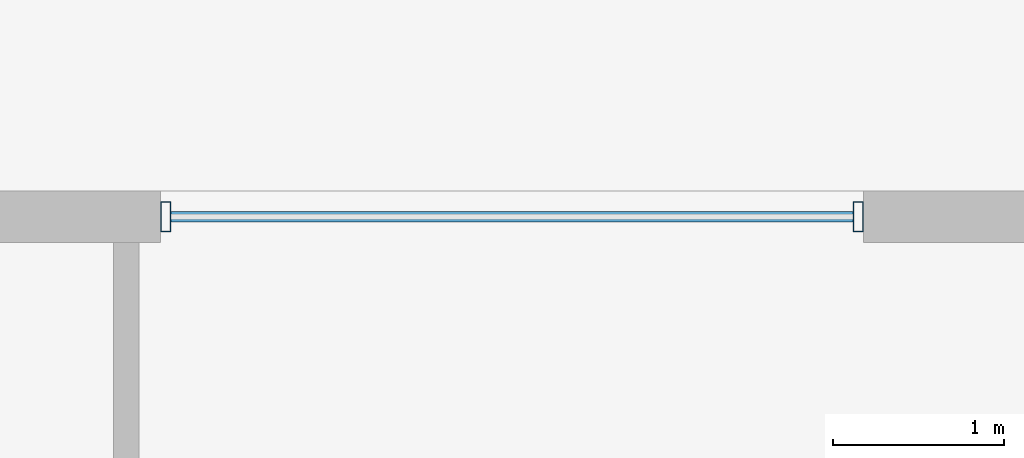
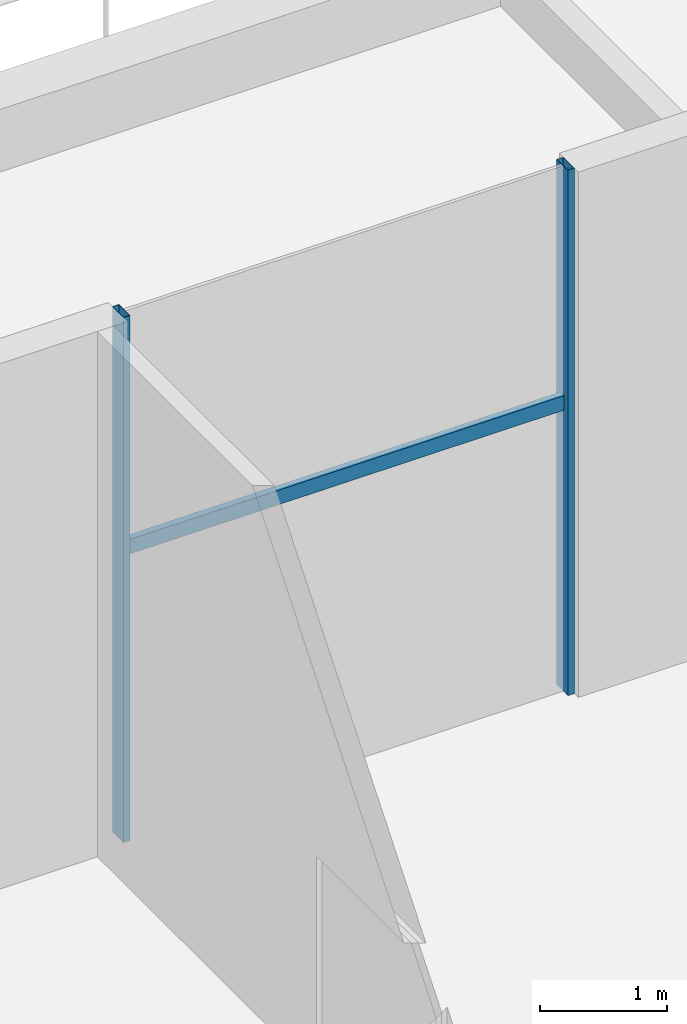
# One storey, part 17 of 47: 3 members, 1 element without a shape of its own.
"""IFC4 building model written with IfcOpenShell, lengths in metres."""

import ifcopenshell
import ifcopenshell.guid

model = None  # the IFC model being written
_history = None  # IfcOwnerHistory: only IFC2X3 demands one
_inside = {}  # id of a spatial element -> (the spatial element, [elements in it])
_under = {}  # id of a project, library or spatial element -> (it, [spatial elements below it])
_declared = {}  # id of a project -> (the project, [libraries it declares])
_typed = {}  # id of a type object -> (the type object, [elements of that type])
_made_of = {}  # id of a material, layer set ... -> (it, [elements and type objects made of it])


def new_model(schema):
    """Start an empty IFC model of exactly this schema.

    Asked for "IFC4X3", IfcOpenShell would pick the latest addendum, in which some entities
    have other attributes; the version numbers below select the first issue.
    IFC2X3 requires an IfcOwnerHistory on every rooted entity: one is made here for all.
    """
    global model, _history
    if schema == "IFC4X3":
        model = ifcopenshell.file(schema_version=(4, 3, 0, 0))
    else:
        model = ifcopenshell.file(schema=schema)
    _inside.clear()
    _under.clear()
    _declared.clear()
    _typed.clear()
    _made_of.clear()
    _history = None
    if model.schema == "IFC2X3":
        org = make("IfcOrganization", Name="unknown")
        user = make(
            "IfcPersonAndOrganization",
            ThePerson=make("IfcPerson", FamilyName="unknown"),
            TheOrganization=org,
        )
        app = make(
            "IfcApplication",
            ApplicationDeveloper=org,
            Version="unknown",
            ApplicationFullName="unknown",
            ApplicationIdentifier="unknown",
        )
        _history = make(
            "IfcOwnerHistory",
            OwningUser=user,
            OwningApplication=app,
            ChangeAction="ADDED",
            CreationDate=0,
        )
    return model


def make(cls, **values):
    """One entity of the class cls with the attributes given. An attribute that is None is left unset."""
    return model.create_entity(
        cls, **{name: value for name, value in values.items() if value is not None}
    )


def rooted(cls, **values):
    """An entity with a GlobalId (a new one), such as an element, a storey or a relation."""
    return make(cls, GlobalId=ifcopenshell.guid.new(), OwnerHistory=_history, **values)


def si_unit(unit_type, name, prefix=None):
    """IfcSIUnit, for example si_unit("LENGTHUNIT", "METRE", prefix="MILLI")."""
    return make("IfcSIUnit", UnitType=unit_type, Prefix=prefix, Name=name)


def assignment(units):
    """IfcUnitAssignment: the units of a project."""
    return None if units is None else make("IfcUnitAssignment", Units=units)


def point(xyz):
    """IfcCartesianPoint."""
    return None if xyz is None else make("IfcCartesianPoint", Coordinates=xyz)


def direction(xyz):
    """IfcDirection."""
    return None if xyz is None else make("IfcDirection", DirectionRatios=xyz)


def frame(location, z_axis=None, x_axis=None):
    """IfcAxis2Placement3D, a coordinate frame: its origin and axes. An axis left out is left unset."""
    return make(
        "IfcAxis2Placement3D",
        Location=point(location),
        Axis=direction(z_axis),
        RefDirection=direction(x_axis),
    )


def frame_2d(location, x_axis=None):
    """IfcAxis2Placement2D, a coordinate frame in the plane: its origin and x axis."""
    return make(
        "IfcAxis2Placement2D", Location=point(location), RefDirection=direction(x_axis)
    )


def origin():
    """The frame at (0, 0, 0) with its axes left unset."""
    return frame((0.0, 0.0, 0.0))


def origin_2d():
    """The frame at (0, 0) in the plane with its x axis left unset."""
    return frame_2d((0.0, 0.0))


def place(relative_to, where):
    """IfcLocalPlacement: puts the frame where relative to a parent placement (None: the world)."""
    return make(
        "IfcLocalPlacement", PlacementRelTo=relative_to, RelativePlacement=where
    )


def context(
    kind, dimensions, precision=None, world=None, true_north=None, identifier=None
):
    """IfcGeometricRepresentationContext, for example the 3D "Model" context."""
    return make(
        "IfcGeometricRepresentationContext",
        ContextIdentifier=identifier,
        ContextType=kind,
        CoordinateSpaceDimension=dimensions,
        Precision=precision,
        WorldCoordinateSystem=world,
        TrueNorth=true_north,
    )


def subcontext(parent, identifier, kind, view, scale=None):
    """IfcGeometricRepresentationSubContext, for example "Body" below "Model"."""
    return make(
        "IfcGeometricRepresentationSubContext",
        ContextIdentifier=identifier,
        ContextType=kind,
        ParentContext=parent,
        TargetScale=scale,
        TargetView=view,
    )


def project(units=None, contexts=None):
    """IfcProject with its units and contexts."""
    return rooted(
        "IfcProject",
        Name="project",
        RepresentationContexts=contexts,
        UnitsInContext=assignment(units),
    )


def spatial(cls, under=None, at=None, **own):
    """A site, building, storey or space (cls), placed at a placement, below another one or the project."""
    s = rooted(cls, ObjectPlacement=at, **own)
    if under is not None:
        _under.setdefault(under.id(), (under, []))[1].append(s)
    return s


def profile(cls, at=None, kind="AREA", **sizes):
    """A parametric profile (cls). Its sizes go by their IFC names, for example OverallWidth=200.0."""
    return make(cls, ProfileType=kind, Position=at, **sizes)


def hollow_rectangle(**sizes):
    """IfcRectangleHollowProfileDef."""
    return profile("IfcRectangleHollowProfileDef", **sizes)


def extrude(swept, where, along, depth):
    """IfcExtrudedAreaSolid: the profile swept, set in the frame where, extruded along a direction by depth."""
    return make(
        "IfcExtrudedAreaSolid",
        SweptArea=swept,
        Position=where,
        ExtrudedDirection=direction(along),
        Depth=depth,
    )


def shape(context_of_items, identifier, shape_type, items):
    """IfcShapeRepresentation: the items that make up one representation, for example the "Body"."""
    return make(
        "IfcShapeRepresentation",
        ContextOfItems=context_of_items,
        RepresentationIdentifier=identifier,
        RepresentationType=shape_type,
        Items=items,
    )


def material(Name=None, Category=None):
    """IfcMaterial."""
    return make("IfcMaterial", Name=Name, Category=Category)


def material_profile(
    of_material, cross_section, Name=None, Category=None, Priority=None
):
    """IfcMaterialProfile: a cross section and its material."""
    return make(
        "IfcMaterialProfile",
        Name=Name,
        Material=of_material,
        Profile=cross_section,
        Priority=Priority,
        Category=Category,
    )


def profile_set(profiles, Name=None, composite=None):
    """IfcMaterialProfileSet."""
    return make(
        "IfcMaterialProfileSet",
        Name=Name,
        MaterialProfiles=profiles,
        CompositeProfile=composite,
    )


def made_of(thing, what):
    """Note that an element or type object is made of a material, layer set ...; save() writes the relation."""
    if what is not None:
        _made_of.setdefault(what.id(), (what, []))[1].append(thing)
    return thing


def type_object(cls, material=None, **own):
    """A type object (cls), such as IfcWallType, which elements share."""
    return made_of(rooted(cls, **own), material)


def element(
    cls,
    number,
    at=None,
    inside=None,
    cuts=None,
    type_object=None,
    material=None,
    context=None,
    identifier="Body",
    shape_type=None,
    held_by="IfcProductDefinitionShape",
    body=None,
    shapes=None,
    **own,
):
    """One element of the class cls, such as IfcWall. Its Tag is "e" and its number.

    at: its placement. inside: the storey or other place that contains it. cuts: it is an
    opening in that element (IfcRelVoidsElement). A single representation is given by context,
    identifier, shape_type and body (its items); several are given by shapes. held_by: the class
    of the entity that holds the representations. save() writes the other relations.
    """
    e = rooted(cls, Tag="e%d" % number, ObjectPlacement=at, **own)
    if body is not None:
        shapes = [shape(context, identifier, shape_type, body)]
    if shapes is not None:
        e.Representation = make(held_by, Representations=shapes)
    if inside is not None:
        _inside.setdefault(inside.id(), (inside, []))[1].append(e)
    if cuts is not None:
        rooted(
            "IfcRelVoidsElement", RelatingBuildingElement=cuts, RelatedOpeningElement=e
        )
    if type_object is not None:
        _typed.setdefault(type_object.id(), (type_object, []))[1].append(e)
    return made_of(e, material)


def aggregate(whole, parts):
    """IfcRelAggregates: a whole, such as a stair, and the parts it consists of."""
    return rooted("IfcRelAggregates", RelatingObject=whole, RelatedObjects=parts)


def save(model, path):
    """Write the relations noted so far, then the file.

    IfcRelAggregates (storeys below a building ...), IfcRelContainedInSpatialStructure (elements
    in a storey), IfcRelDefinesByType, IfcRelAssociatesMaterial and IfcRelDeclares: one each for
    every whole, place, type object, material and project.
    """
    for whole, parts in _under.values():
        aggregate(whole, parts)
    for where, things in _inside.values():
        rooted(
            "IfcRelContainedInSpatialStructure",
            RelatedElements=things,
            RelatingStructure=where,
        )
    for kind, things in _typed.values():
        rooted("IfcRelDefinesByType", RelatedObjects=things, RelatingType=kind)
    for what, things in _made_of.values():
        rooted("IfcRelAssociatesMaterial", RelatedObjects=things, RelatingMaterial=what)
    for by, libraries in _declared.values():
        rooted("IfcRelDeclares", RelatingContext=by, RelatedDefinitions=libraries)
    model.write(path)


model = new_model("IFC4")

# Units and contexts
model_context = context("Model", 3, precision=1e-05, world=origin(), true_north=direction((0.0, 1.0)))
body_context = subcontext(model_context, "Body", "Model", "MODEL_VIEW")
ifc_project = project(units=[si_unit("LENGTHUNIT", "METRE"), si_unit("AREAUNIT", "SQUARE_METRE"), si_unit("VOLUMEUNIT", "CUBIC_METRE"), si_unit("PLANEANGLEUNIT", "RADIAN"), si_unit("MASSUNIT", "GRAM", prefix="KILO")], contexts=[model_context])

# Site, building, storey
site_placement = place(None, origin())
site = spatial("IfcSite", under=ifc_project, at=site_placement, CompositionType="ELEMENT")
building_placement = place(site_placement, origin())
building = spatial("IfcBuilding", under=site, at=building_placement, Name="Altepetl Exchange Towers", CompositionType="ELEMENT")
storey_placement = place(building_placement, frame((0.0, 0.0, 6.0)))
storey = spatial("IfcBuildingStorey", under=building, at=storey_placement, Name="L01 Retail podium", CompositionType="ELEMENT", Elevation=6.0)

# Curtain wall, members
ifc_material_1 = material(Name="Aluminium 6063-T6 glazing", Category="aluminium")
curtain_wall_type = type_object("IfcCurtainWallType", Name="Podium storefront system", PredefinedType="NOTDEFINED", material=ifc_material_1)
curtain_wall_placement = place(storey_placement, origin())
curtain_wall = element("IfcCurtainWall", 1, at=curtain_wall_placement, inside=storey, type_object=curtain_wall_type, Name="CW5 run", PredefinedType="NOTDEFINED")
ifc_material_2 = material(Name="Aluminium 6063-T6", Category="aluminium")
ifc_material_profile_1 = material_profile(ifc_material_2, hollow_rectangle(XDim=0.06005859375, YDim=0.175048828125, WallThickness=0.0029296875, at=origin_2d()), Name="Mullion 60x175 aluminium")
ifc_profile_set_1 = profile_set([ifc_material_profile_1], Name="Aluminium 6063-T6")
member_type_1 = type_object("IfcMemberType", Name="Mullion 60x175 aluminium", PredefinedType="MULLION", material=ifc_profile_set_1)
member_1_placement = place(storey_placement, frame((139.27001953125, 89.85009765625, 0.0), z_axis=(0.0, 0.0, 1.0), x_axis=(-1.0, 0.0, 0.0)))
member_1 = element("IfcMember", 2, at=member_1_placement, type_object=member_type_1, Name="MU4 mullion", PredefinedType="MULLION", context=body_context, shape_type="SweptSolid", body=[
    extrude(hollow_rectangle(XDim=0.06005859375, YDim=0.175048828125, WallThickness=0.0029296875, at=origin_2d()), origin(), (0.0, 0.0, 1.0), 5.050048828125),
])
member_2_placement = place(storey_placement, frame((135.22998046875, 89.85009765625, 0.0), z_axis=(0.0, 0.0, 1.0), x_axis=(-1.0, 0.0, 0.0)))
member_2 = element("IfcMember", 3, at=member_2_placement, type_object=member_type_1, Name="MU4 mullion", PredefinedType="MULLION", context=body_context, shape_type="SweptSolid", body=[
    extrude(hollow_rectangle(XDim=0.06005859375, YDim=0.175048828125, WallThickness=0.0029296875, at=origin_2d()), origin(), (0.0, 0.0, 1.0), 5.050048828125),
])
ifc_material_profile_2 = material_profile(ifc_material_2, hollow_rectangle(XDim=0.06005859375, YDim=0.139892578125, WallThickness=0.0029296875, at=origin_2d()), Name="Transom 60x140 aluminium")
ifc_profile_set_2 = profile_set([ifc_material_profile_2], Name="Aluminium 6063-T6")
member_type_2 = type_object("IfcMemberType", Name="Transom 60x140 aluminium", PredefinedType="USERDEFINED", material=ifc_profile_set_2)
member_3_placement = place(storey_placement, frame((139.239990234375, 89.85009765625, 2.780029296875), z_axis=(-1.0, 0.0, 0.0), x_axis=(0.0, -1.0, 0.0)))
member_3 = element("IfcMember", 4, at=member_3_placement, type_object=member_type_2, Name="TR3 transom", ObjectType="TRANSOM", PredefinedType="USERDEFINED", context=body_context, shape_type="SweptSolid", body=[
    extrude(hollow_rectangle(XDim=0.06005859375, YDim=0.139892578125, WallThickness=0.0029296875, at=origin_2d()), origin(), (0.0, 0.0, 1.0), 3.97998046875),
])
aggregate(curtain_wall, [member_1, member_2, member_3])

save(model, "model.ifc")
